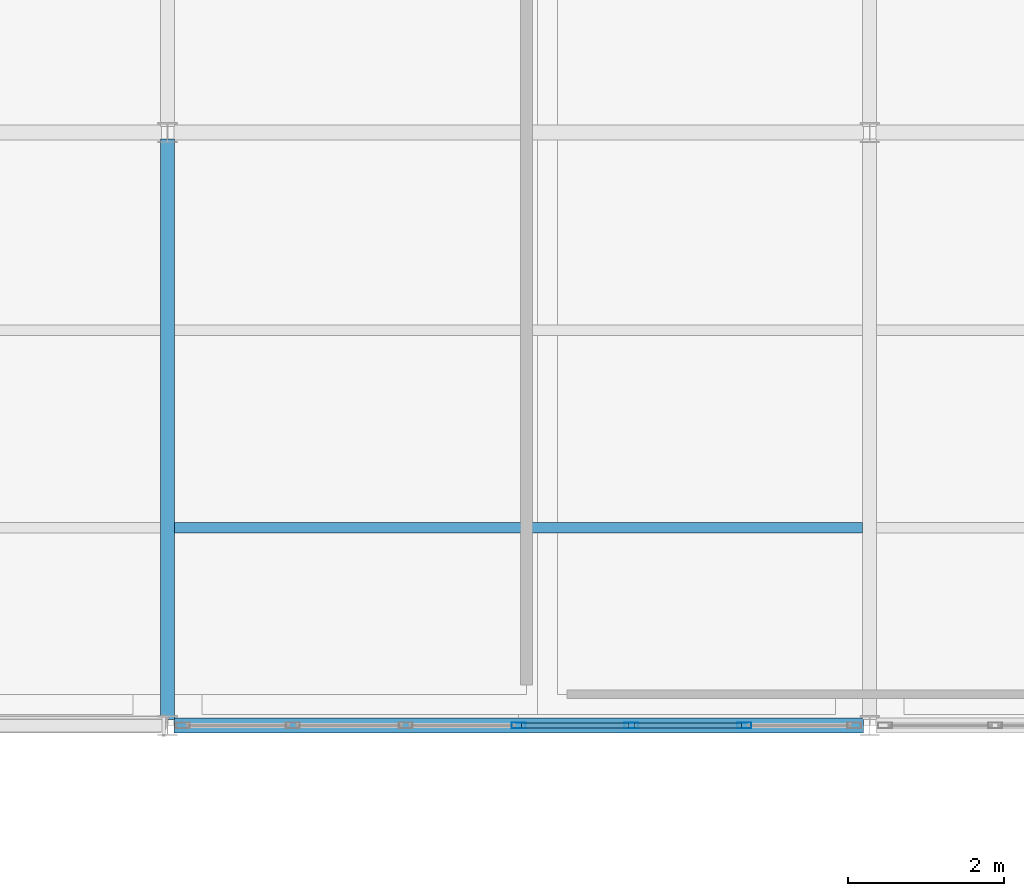
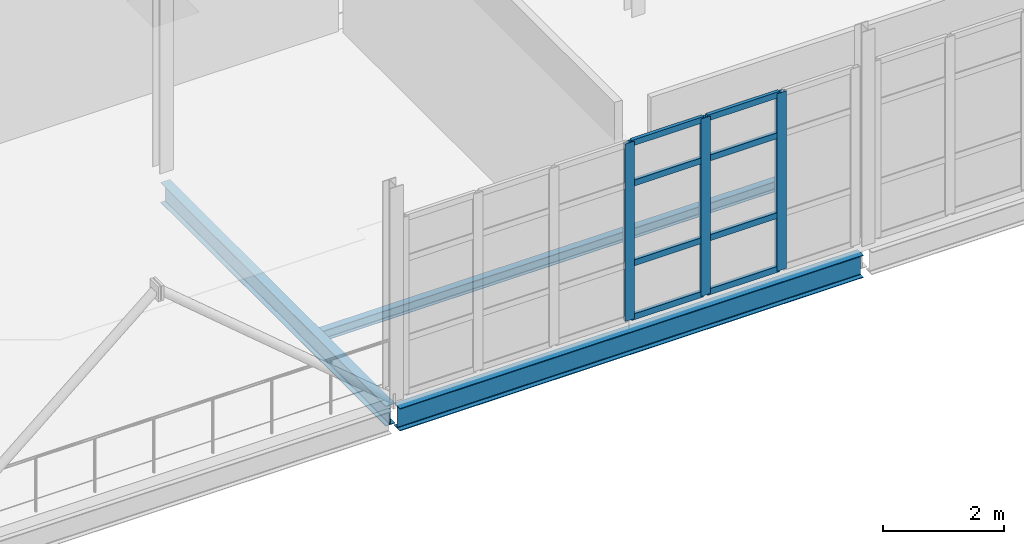
# One storey, part 81 of 166: 11 members, 3 beams, 1 element without a shape of its own.
"""IFC4 building model written with IfcOpenShell, lengths in metres."""

from ifc_helpers import new_model, si_unit, direction, frame, origin, origin_2d, place, context, subcontext, project, spatial, hollow_rectangle, i_section, extrude, material, material_profile, profile_set, type_object, element, aggregate, save


model = new_model("IFC4")

# Units and contexts
model_context = context("Model", 3, precision=1e-05, world=origin(), true_north=direction((0.0, 1.0)))
body_context = subcontext(model_context, "Body", "Model", "MODEL_VIEW")
ifc_project = project(units=[si_unit("LENGTHUNIT", "METRE"), si_unit("AREAUNIT", "SQUARE_METRE"), si_unit("VOLUMEUNIT", "CUBIC_METRE"), si_unit("PLANEANGLEUNIT", "RADIAN"), si_unit("MASSUNIT", "GRAM", prefix="KILO")], contexts=[model_context])

# Site, building, storey
site_placement = place(None, origin())
site = spatial("IfcSite", under=ifc_project, at=site_placement, CompositionType="ELEMENT")
building_placement = place(site_placement, origin())
building = spatial("IfcBuilding", under=site, at=building_placement, Name="Caisbarro Railhouse Central Library", CompositionType="ELEMENT")
storey_placement = place(building_placement, frame((0.0, 0.0, 9.360107421875)))
storey = spatial("IfcBuildingStorey", under=building, at=storey_placement, Name="L02", CompositionType="ELEMENT", Elevation=9.360107421875)

# Beams
ifc_material_1 = material(Name="Steel ASTM A572 Grade 50", Category="steel")
ifc_material_profile_1 = material_profile(ifc_material_1, i_section(OverallWidth=0.177978515625, OverallDepth=0.406982421875, WebThickness=0.0078125, FlangeThickness=0.0126953125, FilletRadius=0.01611328125, at=origin_2d()), Name="W410X60.0")
ifc_profile_set_1 = profile_set([ifc_material_profile_1], Name="Steel ASTM A572 Grade 50")
beam_type_1 = type_object("IfcBeamType", Name="BM-G10", PredefinedType="BEAM", material=ifc_profile_set_1)
beam_1_placement = place(storey_placement, frame((72.0, 83.679931640625, -0.403564453125), z_axis=(0.0, 1.0, 0.0), x_axis=(-1.0, 0.0, 0.0)))
element("IfcBeam", 1, at=beam_1_placement, inside=storey, type_object=beam_type_1, Name="G10 beam L02 #1678", PredefinedType="BEAM", context=body_context, shape_type="SweptSolid", body=[
    extrude(i_section(OverallWidth=0.177978515625, OverallDepth=0.406982421875, WebThickness=0.0078125, FlangeThickness=0.0126953125, FilletRadius=0.01611328125, at=origin_2d()), origin(), (0.0, 0.0, 1.0), 7.440185546875),
])
ifc_material_profile_2 = material_profile(ifc_material_1, i_section(OverallWidth=0.133056640625, OverallDepth=0.20703125, WebThickness=0.005859375, FlangeThickness=0.00830078125, FilletRadius=0.010009765625, at=origin_2d()), Name="W200X26.6")
ifc_profile_set_2 = profile_set([ifc_material_profile_2], Name="Steel ASTM A572 Grade 50")
beam_type_2 = type_object("IfcBeamType", Name="BM-J07", PredefinedType="JOIST", material=ifc_profile_set_2)
beam_2_placement = place(storey_placement, frame((72.089111328125, 86.13330078125, -0.3037109375), z_axis=(1.0, 0.0, 0.0), x_axis=(0.0, 1.0, 0.0)))
element("IfcBeam", 2, at=beam_2_placement, inside=storey, type_object=beam_type_2, Name="J07 beam L02 #1702", PredefinedType="JOIST", context=body_context, shape_type="SweptSolid", body=[
    extrude(i_section(OverallWidth=0.133056640625, OverallDepth=0.20703125, WebThickness=0.005859375, FlangeThickness=0.00830078125, FilletRadius=0.010009765625, at=origin_2d()), origin(), (0.0, 0.0, 1.0), 8.82177734375),
])
ifc_material_profile_3 = material_profile(ifc_material_1, i_section(OverallWidth=0.18994140625, OverallDepth=0.45703125, WebThickness=0.009033203125, FlangeThickness=0.014404296875, FilletRadius=0.01806640625, at=origin_2d()), Name="W460X74.0")
ifc_profile_set_3 = profile_set([ifc_material_profile_3], Name="Steel ASTM A572 Grade 50")
beam_type_3 = type_object("IfcBeamType", Name="BM-SP01", PredefinedType="SPANDREL", material=ifc_profile_set_3)
beam_3_placement = place(storey_placement, frame((72.080078125, 83.60009765625, -0.4287109375), z_axis=(1.0, 0.0, 0.0), x_axis=(0.0, 1.0, 0.0)))
element("IfcBeam", 3, at=beam_3_placement, inside=storey, type_object=beam_type_3, Name="SP01 beam L02 #1654", PredefinedType="SPANDREL", context=body_context, shape_type="SweptSolid", body=[
    extrude(i_section(OverallWidth=0.18994140625, OverallDepth=0.45703125, WebThickness=0.009033203125, FlangeThickness=0.014404296875, FilletRadius=0.01806640625, at=origin_2d()), origin(), (0.0, 0.0, 1.0), 8.83984375),
])

# Curtain wall, members
ifc_material_2 = material(Name="Anodised architectural aluminium", Category="aluminium")
curtain_wall_type = type_object("IfcCurtainWallType", Name="CW-CW02", PredefinedType="NOTDEFINED", material=ifc_material_2)
curtain_wall_placement = place(storey_placement, origin())
curtain_wall = element("IfcCurtainWall", 4, at=curtain_wall_placement, inside=storey, type_object=curtain_wall_type, Name="CW02 curtain wall L02 #182", PredefinedType="NOTDEFINED")
ifc_material_profile_4 = material_profile(ifc_material_2, hollow_rectangle(XDim=0.074951171875, YDim=0.179931640625, WallThickness=0.00439453125, at=origin_2d()), Name="ALU-MUL-75X180")
ifc_profile_set_4 = profile_set([ifc_material_profile_4], Name="Anodised architectural aluminium")
member_type_1 = type_object("IfcMemberType", Name="CWM-M01", PredefinedType="MULLION", material=ifc_profile_set_4)
member_1_placement = place(storey_placement, frame((76.5, 83.60009765625, 0.0), z_axis=(0.0, 0.0, 1.0), x_axis=(0.0, 1.0, 0.0)))
member_1 = element("IfcMember", 5, at=member_1_placement, type_object=member_type_1, Name="CW02 mullion 4", PredefinedType="MULLION", context=body_context, shape_type="SweptSolid", body=[
    extrude(hollow_rectangle(XDim=0.074951171875, YDim=0.179931640625, WallThickness=0.00439453125, at=origin_2d()), origin(), (0.0, 0.0, 1.0), 3.579833984375),
])
member_2_placement = place(storey_placement, frame((77.94677734375, 83.60009765625, 0.0), z_axis=(0.0, 0.0, 1.0), x_axis=(0.0, 1.0, 0.0)))
member_2 = element("IfcMember", 6, at=member_2_placement, type_object=member_type_1, Name="CW02 mullion 5", PredefinedType="MULLION", context=body_context, shape_type="SweptSolid", body=[
    extrude(hollow_rectangle(XDim=0.074951171875, YDim=0.179931640625, WallThickness=0.00439453125, at=origin_2d()), origin(), (0.0, 0.0, 1.0), 3.579833984375),
])
member_3_placement = place(storey_placement, frame((79.393310546875, 83.60009765625, 0.0), z_axis=(0.0, 0.0, 1.0), x_axis=(0.0, 1.0, 0.0)))
member_3 = element("IfcMember", 7, at=member_3_placement, type_object=member_type_1, Name="CW02 mullion 6", PredefinedType="MULLION", context=body_context, shape_type="SweptSolid", body=[
    extrude(hollow_rectangle(XDim=0.074951171875, YDim=0.179931640625, WallThickness=0.00439453125, at=origin_2d()), origin(), (0.0, 0.0, 1.0), 3.579833984375),
])
ifc_material_profile_5 = material_profile(ifc_material_2, hollow_rectangle(XDim=0.06494140625, YDim=0.1201171875, WallThickness=0.00341796875, at=origin_2d()), Name="ALU-TRN-65X120")
ifc_profile_set_5 = profile_set([ifc_material_profile_5], Name="Anodised architectural aluminium")
member_type_2 = type_object("IfcMemberType", Name="CWT-T02", PredefinedType="USERDEFINED", material=ifc_profile_set_5)
member_4_placement = place(storey_placement, frame((76.53759765625, 83.60009765625, 0.032470703125), z_axis=(1.0, 0.0, 0.0), x_axis=(0.0, 1.0, 0.0)))
member_4 = element("IfcMember", 8, at=member_4_placement, type_object=member_type_2, Name="CW02 transom 4.1", ObjectType="TRANSOM", PredefinedType="USERDEFINED", context=body_context, shape_type="SweptSolid", body=[
    extrude(hollow_rectangle(XDim=0.06494140625, YDim=0.1201171875, WallThickness=0.00341796875, at=origin_2d()), origin(), (0.0, 0.0, 1.0), 1.37158203125),
])
member_5_placement = place(storey_placement, frame((76.53759765625, 83.60009765625, 1.119873046875), z_axis=(1.0, 0.0, 0.0), x_axis=(0.0, 1.0, 0.0)))
member_5 = element("IfcMember", 9, at=member_5_placement, type_object=member_type_2, Name="CW02 transom 4.2", ObjectType="TRANSOM", PredefinedType="USERDEFINED", context=body_context, shape_type="SweptSolid", body=[
    extrude(hollow_rectangle(XDim=0.06494140625, YDim=0.1201171875, WallThickness=0.00341796875, at=origin_2d()), origin(), (0.0, 0.0, 1.0), 1.37158203125),
])
member_6_placement = place(storey_placement, frame((76.53759765625, 83.60009765625, 2.72998046875), z_axis=(1.0, 0.0, 0.0), x_axis=(0.0, 1.0, 0.0)))
member_6 = element("IfcMember", 10, at=member_6_placement, type_object=member_type_2, Name="CW02 transom 4.3", ObjectType="TRANSOM", PredefinedType="USERDEFINED", context=body_context, shape_type="SweptSolid", body=[
    extrude(hollow_rectangle(XDim=0.06494140625, YDim=0.1201171875, WallThickness=0.00341796875, at=origin_2d()), origin(), (0.0, 0.0, 1.0), 1.37158203125),
])
member_7_placement = place(storey_placement, frame((76.53759765625, 83.60009765625, 3.54736328125), z_axis=(1.0, 0.0, 0.0), x_axis=(0.0, 1.0, 0.0)))
member_7 = element("IfcMember", 11, at=member_7_placement, type_object=member_type_2, Name="CW02 transom 4.4", ObjectType="TRANSOM", PredefinedType="USERDEFINED", context=body_context, shape_type="SweptSolid", body=[
    extrude(hollow_rectangle(XDim=0.06494140625, YDim=0.1201171875, WallThickness=0.00341796875, at=origin_2d()), origin(), (0.0, 0.0, 1.0), 1.37158203125),
])
member_8_placement = place(storey_placement, frame((77.984130859375, 83.60009765625, 0.032470703125), z_axis=(1.0, 0.0, 0.0), x_axis=(0.0, 1.0, 0.0)))
member_8 = element("IfcMember", 12, at=member_8_placement, type_object=member_type_2, Name="CW02 transom 5.1", ObjectType="TRANSOM", PredefinedType="USERDEFINED", context=body_context, shape_type="SweptSolid", body=[
    extrude(hollow_rectangle(XDim=0.06494140625, YDim=0.1201171875, WallThickness=0.00341796875, at=origin_2d()), origin(), (0.0, 0.0, 1.0), 1.37158203125),
])
member_9_placement = place(storey_placement, frame((77.984130859375, 83.60009765625, 1.119873046875), z_axis=(1.0, 0.0, 0.0), x_axis=(0.0, 1.0, 0.0)))
member_9 = element("IfcMember", 13, at=member_9_placement, type_object=member_type_2, Name="CW02 transom 5.2", ObjectType="TRANSOM", PredefinedType="USERDEFINED", context=body_context, shape_type="SweptSolid", body=[
    extrude(hollow_rectangle(XDim=0.06494140625, YDim=0.1201171875, WallThickness=0.00341796875, at=origin_2d()), origin(), (0.0, 0.0, 1.0), 1.37158203125),
])
member_10_placement = place(storey_placement, frame((77.984130859375, 83.60009765625, 2.72998046875), z_axis=(1.0, 0.0, 0.0), x_axis=(0.0, 1.0, 0.0)))
member_10 = element("IfcMember", 14, at=member_10_placement, type_object=member_type_2, Name="CW02 transom 5.3", ObjectType="TRANSOM", PredefinedType="USERDEFINED", context=body_context, shape_type="SweptSolid", body=[
    extrude(hollow_rectangle(XDim=0.06494140625, YDim=0.1201171875, WallThickness=0.00341796875, at=origin_2d()), origin(), (0.0, 0.0, 1.0), 1.37158203125),
])
member_11_placement = place(storey_placement, frame((77.984130859375, 83.60009765625, 3.54736328125), z_axis=(1.0, 0.0, 0.0), x_axis=(0.0, 1.0, 0.0)))
member_11 = element("IfcMember", 15, at=member_11_placement, type_object=member_type_2, Name="CW02 transom 5.4", ObjectType="TRANSOM", PredefinedType="USERDEFINED", context=body_context, shape_type="SweptSolid", body=[
    extrude(hollow_rectangle(XDim=0.06494140625, YDim=0.1201171875, WallThickness=0.00341796875, at=origin_2d()), origin(), (0.0, 0.0, 1.0), 1.37158203125),
])
aggregate(curtain_wall, [member_1, member_2, member_3, member_4, member_5, member_6, member_7, member_8, member_9, member_10, member_11])

save(model, "model.ifc")
